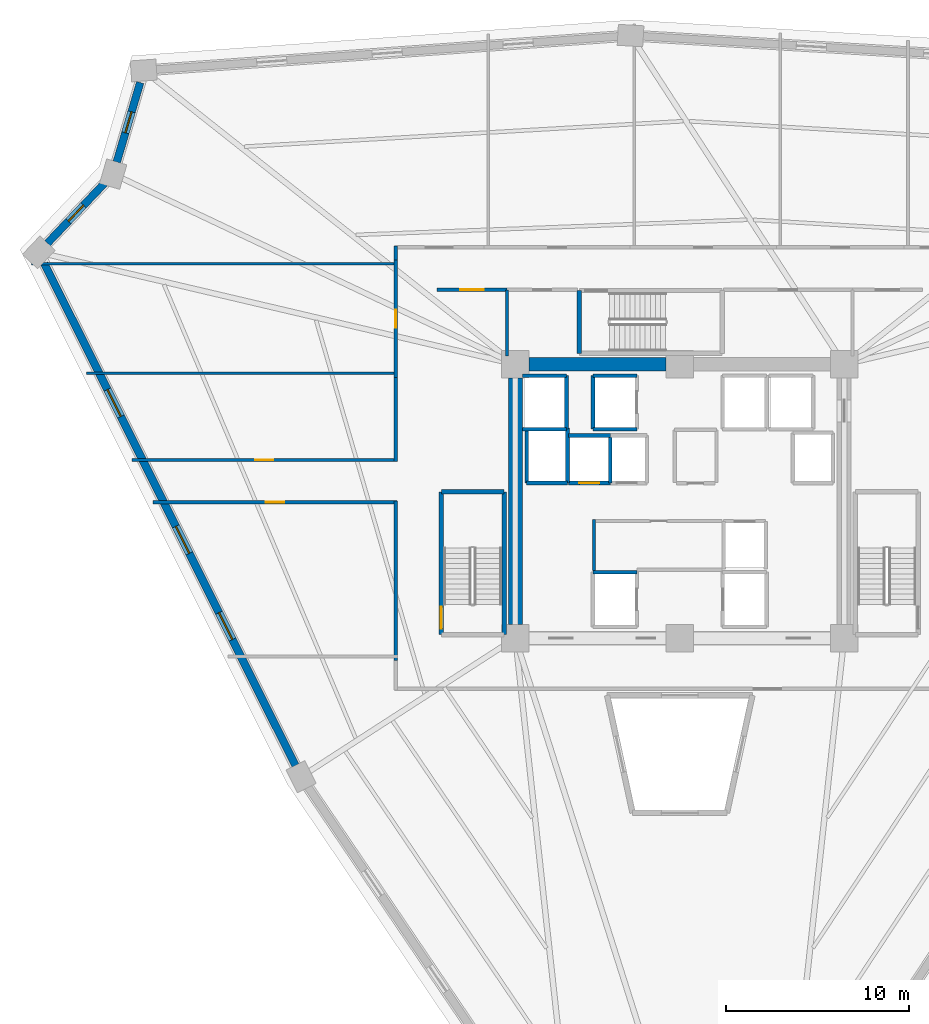
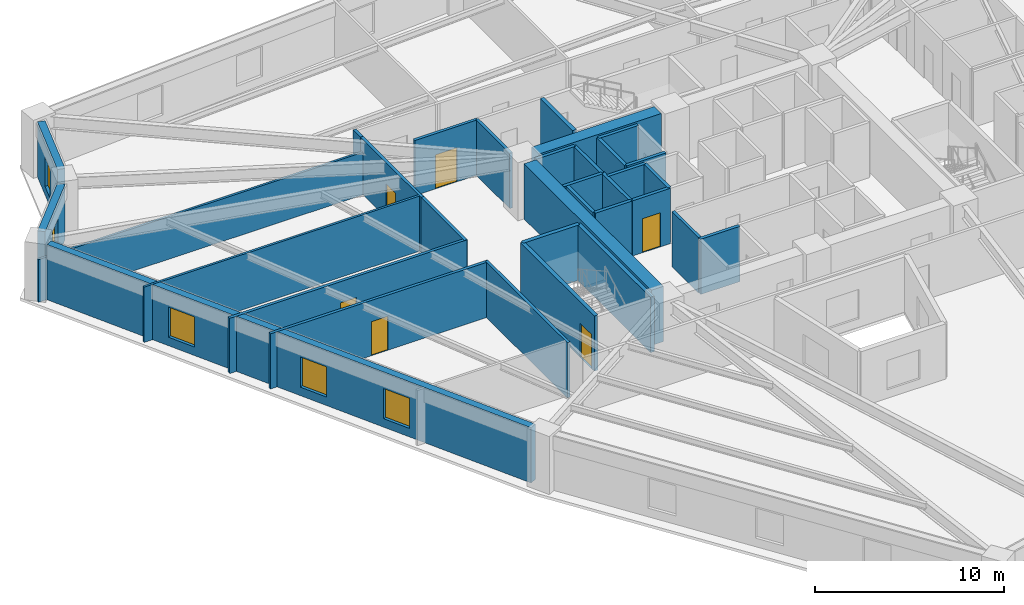
# One storey, part 4 of 8: 33 walls, 6 doors, 5 windows, 11 openings.
"""IFC4 building model written with IfcOpenShell, lengths in metres."""

from ifc_helpers import new_model, si_unit, direction, frame, frame_2d, origin, place, context, subcontext, project, spatial, rectangle, extrude, source, transform, mapped, material, layer, layer_set, type_object, element, fill, save


model = new_model("IFC4")

# Units and contexts
model_context = context("Model", 3, precision=1e-05, world=origin(), true_north=direction((0.0, 1.0)))
body_context = subcontext(model_context, "Body", "Model", "MODEL_VIEW")
ifc_project = project(units=[si_unit("LENGTHUNIT", "METRE"), si_unit("AREAUNIT", "SQUARE_METRE"), si_unit("VOLUMEUNIT", "CUBIC_METRE"), si_unit("PLANEANGLEUNIT", "RADIAN"), si_unit("MASSUNIT", "GRAM", prefix="KILO")], contexts=[model_context])

# Site, building, storey
site_placement = place(None, origin())
site = spatial("IfcSite", under=ifc_project, at=site_placement, CompositionType="ELEMENT")
building_placement = place(site_placement, origin())
building = spatial("IfcBuilding", under=site, at=building_placement, Name="Liaohun Quay Tower", CompositionType="ELEMENT")
storey_placement = place(building_placement, frame((0.0, 0.0, 159.0)))
storey = spatial("IfcBuildingStorey", under=building, at=storey_placement, Name="L41", CompositionType="ELEMENT", Elevation=159.0)

# Walls
ifc_material_1 = material(Name="Concrete C60", Category="concrete")
ifc_layer_1 = layer(ifc_material_1, 0.75, Name="Concrete C60", Category="concrete")
ifc_layer_set_1 = layer_set([ifc_layer_1], Name="Concrete C60")
wall_type_1 = type_object("IfcWallType", Name="WAL-COR-Z2", PredefinedType="SHEAR", material=ifc_layer_set_1)
wall_1_placement = place(storey_placement, frame((51.75, 61.5, 0.0), z_axis=(0.0, 0.0, 1.0), x_axis=(1.0, 0.0, 0.0)))
element("IfcWall", 1, at=wall_1_placement, inside=storey, type_object=wall_type_1, Name="L41 Central Core Shear Wall N-W", PredefinedType="SHEAR", context=body_context, shape_type="SweptSolid", body=[
    extrude(rectangle(XDim=7.5, YDim=0.75, at=frame_2d((3.75, 0.0))), origin(), (0.0, 0.0, 1.0), 3.570068359375),
])
wall_2_placement = place(storey_placement, frame((51.0, 47.25, 0.0), z_axis=(0.0, 0.0, 1.0), x_axis=(0.0, 1.0, 0.0)))
element("IfcWall", 2, at=wall_2_placement, inside=storey, type_object=wall_type_1, Name="L41 Central Core Shear Wall W", PredefinedType="SHEAR", context=body_context, shape_type="SweptSolid", body=[
    extrude(rectangle(XDim=13.5, YDim=0.75, at=frame_2d((6.75, 0.0))), origin(), (0.0, 0.0, 1.0), 3.570068359375),
])

# Wall, opening, window
ifc_material_2 = material(Name="Precast concrete C50 insulated sandwich", Category="concrete")
ifc_layer_2 = layer(ifc_material_2, 0.419921875, Name="Precast concrete C50 insulated sandwich", Category="concrete")
ifc_layer_set_2 = layer_set([ifc_layer_2], Name="Precast concrete C50 insulated sandwich")
wall_type_2 = type_object("IfcWallType", Name="WAL-EXT-Z12", PredefinedType="SOLIDWALL", material=ifc_layer_set_2)
wall_3_placement = place(storey_placement, frame((30.449951171875, 76.929931640625, 0.0), z_axis=(0.0, 0.0, 1.0), x_axis=(-0.282903082649, -0.959148500404, 0.0)))
wall_3 = element("IfcWall", 3, at=wall_3_placement, inside=storey, type_object=wall_type_2, Name="L41 Brutalist Precast Pier Wall 08", PredefinedType="SOLIDWALL", context=body_context, shape_type="SweptSolid", body=[
    extrude(rectangle(XDim=4.538330078125, YDim=0.419921875, at=frame_2d((2.26904296875, 0.0))), origin(), (0.0, 0.0, 1.0), 3.570068359375),
])
shared_shape_1 = source(origin(), body_context, "Body", "SweptSolid", [
    extrude(rectangle(XDim=1.199951171875, YDim=1.89990234375, at=frame_2d((0.60009765625, 0.949951171875))), frame((0.0, 0.219970703125, 0.0), z_axis=(0.0, -1.0, 0.0), x_axis=(1.0, 0.0, 0.0)), (0.0, 0.0, 1.0), 0.43994140625),
])
opening_1_placement = place(wall_3_placement, frame((1.6689453125, 0.0, 0.550048828125)))
opening_1 = element("IfcOpeningElement", 4, at=opening_1_placement, cuts=wall_3, Name="Opening W05", PredefinedType="OPENING", context=body_context, shape_type="MappedRepresentation", body=[
    mapped(shared_shape_1, transform((0.0, 0.0, 0.0), x_axis=(1.0, 0.0, 0.0), y_axis=(0.0, 1.0, 0.0), z_axis=(0.0, 0.0, 1.0), scale=1.0)),
])
ifc_material_3 = material(Name="Triple Low-E corner notch glazing", Category="glass")
window_type_1 = type_object("IfcWindowType", Name="WIN-NOTCH", PartitioningType="SINGLE_PANEL", PredefinedType="WINDOW", material=ifc_material_3)
shared_shape_2 = source(origin(), body_context, "Body", "SweptSolid", [
    extrude(rectangle(XDim=1.199951171875, YDim=1.89990234375, at=frame_2d((0.60009765625, 0.949951171875))), frame((0.0, 0.030029296875, 0.0), z_axis=(0.0, -1.0, 0.0), x_axis=(1.0, 0.0, 0.0)), (0.0, 0.0, 1.0), 0.06005859375),
])
window_1_placement = place(opening_1_placement, origin())
window_1 = element("IfcWindow", 5, at=window_1_placement, inside=storey, type_object=window_type_1, Name="L41 Corner Notch Window W05-08", OverallHeight=1.89990234375, OverallWidth=1.199951171875, PartitioningType="SINGLE_PANEL", PredefinedType="WINDOW", context=body_context, shape_type="MappedRepresentation", body=[
    mapped(shared_shape_2, transform((0.0, 0.0, 0.0), x_axis=(1.0, 0.0, 0.0), y_axis=(0.0, 1.0, 0.0), z_axis=(0.0, 0.0, 1.0), scale=1.0)),
])
fill(opening_1, window_1)

wall_4_placement = place(storey_placement, frame((28.4951171875, 71.4150390625, 0.0), z_axis=(0.0, 0.0, 1.0), x_axis=(-0.68924618139, -0.724527226155, 0.0)))
wall_4 = element("IfcWall", 6, at=wall_4_placement, inside=storey, type_object=wall_type_2, Name="L41 Brutalist Precast Pier Wall 09", PredefinedType="SOLIDWALL", context=body_context, shape_type="SweptSolid", body=[
    extrude(rectangle(XDim=4.532470703125, YDim=0.419921875, at=frame_2d((2.26611328125, 0.0))), origin(), (0.0, 0.0, 1.0), 3.570068359375),
])
opening_2_placement = place(wall_4_placement, frame((1.666015625, 0.0, 0.550048828125)))
opening_2 = element("IfcOpeningElement", 7, at=opening_2_placement, cuts=wall_4, Name="Opening W05", PredefinedType="OPENING", context=body_context, shape_type="MappedRepresentation", body=[
    mapped(shared_shape_1, transform((0.0, 0.0, 0.0), x_axis=(1.0, 0.0, 0.0), y_axis=(0.0, 1.0, 0.0), z_axis=(0.0, 0.0, 1.0), scale=1.0)),
])
window_2_placement = place(opening_2_placement, origin())
window_2 = element("IfcWindow", 8, at=window_2_placement, inside=storey, type_object=window_type_1, Name="L41 Corner Notch Window W05-09", OverallHeight=1.89990234375, OverallWidth=1.199951171875, PartitioningType="SINGLE_PANEL", PredefinedType="WINDOW", context=body_context, shape_type="MappedRepresentation", body=[
    mapped(shared_shape_2, transform((0.0, 0.0, 0.0), x_axis=(1.0, 0.0, 0.0), y_axis=(0.0, 1.0, 0.0), z_axis=(0.0, 0.0, 1.0), scale=1.0)),
])
fill(opening_2, window_2)

# Wall, openings, windows
wall_5_placement = place(storey_placement, frame((25.2041015625, 67.013916015625, 0.0), z_axis=(0.0, 0.0, 1.0), x_axis=(0.447340705753, -0.894363624583, 0.0)))
wall_5 = element("IfcWall", 9, at=wall_5_placement, inside=storey, type_object=wall_type_2, Name="L41 Brutalist Precast Pier Wall 10", PredefinedType="SOLIDWALL", context=body_context, shape_type="SweptSolid", body=[
    extrude(rectangle(XDim=30.730224609375, YDim=0.419921875, at=frame_2d((15.365234375, 0.0))), origin(), (0.0, 0.0, 1.0), 3.570068359375),
])
shared_shape_3 = source(origin(), body_context, "Body", "SweptSolid", [
    extrude(rectangle(XDim=1.64990234375, YDim=1.949951171875, at=frame_2d((0.824951171875, 0.97509765625))), frame((0.0, 0.219970703125, 0.0), z_axis=(0.0, -1.0, 0.0), x_axis=(1.0, 0.0, 0.0)), (0.0, 0.0, 1.0), 0.43994140625),
])
opening_3_placement = place(wall_5_placement, frame((7.7080078125, 0.0, 0.550048828125)))
opening_3 = element("IfcOpeningElement", 10, at=opening_3_placement, cuts=wall_5, Name="Opening W02", PredefinedType="OPENING", context=body_context, shape_type="MappedRepresentation", body=[
    mapped(shared_shape_3, transform((0.0, 0.0, 0.0), x_axis=(1.0, 0.0, 0.0), y_axis=(0.0, 1.0, 0.0), z_axis=(0.0, 0.0, 1.0), scale=1.0)),
])
opening_4_placement = place(wall_5_placement, frame((16.090087890625, 0.0, 0.550048828125)))
opening_4 = element("IfcOpeningElement", 11, at=opening_4_placement, cuts=wall_5, Name="Opening W02", PredefinedType="OPENING", context=body_context, shape_type="MappedRepresentation", body=[
    mapped(shared_shape_3, transform((0.0, 0.0, 0.0), x_axis=(1.0, 0.0, 0.0), y_axis=(0.0, 1.0, 0.0), z_axis=(0.0, 0.0, 1.0), scale=1.0)),
])
opening_5_placement = place(wall_5_placement, frame((21.373046875, 0.0, 0.550048828125)))
opening_5 = element("IfcOpeningElement", 12, at=opening_5_placement, cuts=wall_5, Name="Opening W02", PredefinedType="OPENING", context=body_context, shape_type="MappedRepresentation", body=[
    mapped(shared_shape_3, transform((0.0, 0.0, 0.0), x_axis=(1.0, 0.0, 0.0), y_axis=(0.0, 1.0, 0.0), z_axis=(0.0, 0.0, 1.0), scale=1.0)),
])
ifc_material_4 = material(Name="Triple Low-E argon glazing in thermally broken aluminium", Category="aluminium")
window_type_2 = type_object("IfcWindowType", Name="WIN-PUN-Z2", PartitioningType="DOUBLE_PANEL_VERTICAL", PredefinedType="WINDOW", material=ifc_material_4)
shared_shape_4 = source(origin(), body_context, "Body", "SweptSolid", [
    extrude(rectangle(XDim=1.64990234375, YDim=1.949951171875, at=frame_2d((0.824951171875, 0.97509765625))), frame((0.0, 0.030029296875, 0.0), z_axis=(0.0, -1.0, 0.0), x_axis=(1.0, 0.0, 0.0)), (0.0, 0.0, 1.0), 0.06005859375),
])
window_3_placement = place(opening_3_placement, origin())
window_3 = element("IfcWindow", 13, at=window_3_placement, inside=storey, type_object=window_type_2, Name="L41 Recessed Cold-Climate Punched Window 10-1", OverallHeight=1.949951171875, OverallWidth=1.64990234375, PartitioningType="DOUBLE_PANEL_VERTICAL", PredefinedType="WINDOW", context=body_context, shape_type="MappedRepresentation", body=[
    mapped(shared_shape_4, transform((0.0, 0.0, 0.0), x_axis=(1.0, 0.0, 0.0), y_axis=(0.0, 1.0, 0.0), z_axis=(0.0, 0.0, 1.0), scale=1.0)),
])
fill(opening_3, window_3)
window_4_placement = place(opening_4_placement, origin())
window_4 = element("IfcWindow", 14, at=window_4_placement, inside=storey, type_object=window_type_2, Name="L41 Recessed Cold-Climate Punched Window 10-2", OverallHeight=1.949951171875, OverallWidth=1.64990234375, PartitioningType="DOUBLE_PANEL_VERTICAL", PredefinedType="WINDOW", context=body_context, shape_type="MappedRepresentation", body=[
    mapped(shared_shape_4, transform((0.0, 0.0, 0.0), x_axis=(1.0, 0.0, 0.0), y_axis=(0.0, 1.0, 0.0), z_axis=(0.0, 0.0, 1.0), scale=1.0)),
])
fill(opening_4, window_4)
window_5_placement = place(opening_5_placement, origin())
window_5 = element("IfcWindow", 15, at=window_5_placement, inside=storey, type_object=window_type_2, Name="L41 Recessed Cold-Climate Punched Window 10-3", OverallHeight=1.949951171875, OverallWidth=1.64990234375, PartitioningType="DOUBLE_PANEL_VERTICAL", PredefinedType="WINDOW", context=body_context, shape_type="MappedRepresentation", body=[
    mapped(shared_shape_4, transform((0.0, 0.0, 0.0), x_axis=(1.0, 0.0, 0.0), y_axis=(0.0, 1.0, 0.0), z_axis=(0.0, 0.0, 1.0), scale=1.0)),
])
fill(opening_5, window_5)

# Wall, opening, door
ifc_material_5 = material(Name="Autoclaved aerated concrete blockwork", Category="masonry")
ifc_layer_3 = layer(ifc_material_5, 0.179931640625, Name="Autoclaved aerated concrete blockwork", Category="masonry")
ifc_layer_set_3 = layer_set([ifc_layer_3], Name="Autoclaved aerated concrete blockwork")
wall_type_3 = type_object("IfcWallType", Name="WAL-PRT-COR", PredefinedType="PARTITIONING", material=ifc_layer_set_3)
wall_6_placement = place(storey_placement, frame((46.699951171875, 65.580078125, 0.0), z_axis=(0.0, 0.0, 1.0), x_axis=(1.0, 0.0, 0.0)))
wall_6 = element("IfcWall", 16, at=wall_6_placement, inside=storey, type_object=wall_type_3, Name="L41 Interior Partition Wall 008", PredefinedType="PARTITIONING", context=body_context, shape_type="SweptSolid", body=[
    extrude(rectangle(XDim=3.840087890625, YDim=0.179931640625, at=frame_2d((1.919921875, 0.0))), origin(), (0.0, 0.0, 1.0), 3.570068359375),
])
shared_shape_5 = source(origin(), body_context, "Body", "SweptSolid", [
    extrude(rectangle(XDim=1.300048828125, YDim=2.199951171875, at=frame_2d((0.64990234375, 1.10009765625))), frame((0.0, 0.099853515625, 0.0), z_axis=(0.0, -1.0, 0.0), x_axis=(1.0, 0.0, 0.0)), (0.0, 0.0, 1.0), 0.199951171875),
])
opening_6_placement = place(wall_6_placement, frame((1.27001953125, 0.0, 0.0)))
opening_6 = element("IfcOpeningElement", 17, at=opening_6_placement, cuts=wall_6, Name="Opening FD1", PredefinedType="OPENING", context=body_context, shape_type="MappedRepresentation", body=[
    mapped(shared_shape_5, transform((0.0, 0.0, 0.0), x_axis=(1.0, 0.0, 0.0), y_axis=(0.0, 1.0, 0.0), z_axis=(0.0, 0.0, 1.0), scale=1.0)),
])
ifc_material_6 = material(Name="Galvanised steel smokeproof fire door", Category="steel")
door_type_1 = type_object("IfcDoorType", Name="DOR-FFL-1300", OperationType="NOTDEFINED", PredefinedType="DOOR", material=ifc_material_6)
shared_shape_6 = source(origin(), body_context, "Body", "SweptSolid", [
    extrude(rectangle(XDim=1.300048828125, YDim=2.199951171875, at=frame_2d((0.64990234375, 1.10009765625))), frame((0.0, 0.02490234375, 0.0), z_axis=(0.0, -1.0, 0.0), x_axis=(1.0, 0.0, 0.0)), (0.0, 0.0, 1.0), 0.050048828125),
])
door_1_placement = place(opening_6_placement, origin())
door_1 = element("IfcDoor", 18, at=door_1_placement, inside=storey, type_object=door_type_1, Name="L41 West Core Vestibule Door", OperationType="SINGLE_SWING_LEFT", OverallHeight=2.199951171875, OverallWidth=1.300048828125, PredefinedType="DOOR", context=body_context, shape_type="MappedRepresentation", body=[
    mapped(shared_shape_6, transform((0.0, 0.0, 0.0), x_axis=(1.0, 0.0, 0.0), y_axis=(0.0, 1.0, 0.0), z_axis=(0.0, 0.0, 1.0), scale=1.0)),
])
fill(opening_6, door_1)

wall_7_placement = place(storey_placement, frame((44.43994140625, 60.784912109375, 0.0), z_axis=(0.0, 0.0, 1.0), x_axis=(0.0, 1.0, 0.0)))
wall_7 = element("IfcWall", 19, at=wall_7_placement, inside=storey, type_object=wall_type_3, Name="L41 Interior Partition Wall 016", PredefinedType="PARTITIONING", context=body_context, shape_type="SweptSolid", body=[
    extrude(rectangle(XDim=6.43017578125, YDim=0.179931640625, at=frame_2d((3.215087890625, 0.0))), origin(), (0.0, 0.0, 1.0), 3.570068359375),
])
shared_shape_7 = source(origin(), body_context, "Body", "SweptSolid", [
    extrude(rectangle(XDim=1.0, YDim=2.199951171875, at=frame_2d((0.5, 1.10009765625))), frame((0.0, 0.099853515625, 0.0), z_axis=(0.0, -1.0, 0.0), x_axis=(1.0, 0.0, 0.0)), (0.0, 0.0, 1.0), 0.199951171875),
])
opening_7_placement = place(wall_7_placement, frame((2.715087890625, 0.0, 0.0)))
opening_7 = element("IfcOpeningElement", 20, at=opening_7_placement, cuts=wall_7, Name="Opening OD1", PredefinedType="OPENING", context=body_context, shape_type="MappedRepresentation", body=[
    mapped(shared_shape_7, transform((0.0, 0.0, 0.0), x_axis=(1.0, 0.0, 0.0), y_axis=(0.0, 1.0, 0.0), z_axis=(0.0, 0.0, 1.0), scale=1.0)),
])
ifc_material_7 = material(Name="Solid-core oak veneer timber leaf in steel frame", Category="steel")
door_type_2 = type_object("IfcDoorType", Name="DOR-OFF-1000", OperationType="NOTDEFINED", PredefinedType="DOOR", material=ifc_material_7)
shared_shape_8 = source(origin(), body_context, "Body", "SweptSolid", [
    extrude(rectangle(XDim=1.0, YDim=2.199951171875, at=frame_2d((0.5, 1.10009765625))), frame((0.0, 0.02490234375, 0.0), z_axis=(0.0, -1.0, 0.0), x_axis=(1.0, 0.0, 0.0)), (0.0, 0.0, 1.0), 0.050048828125),
])
door_2_placement = place(opening_7_placement, origin())
door_2 = element("IfcDoor", 21, at=door_2_placement, inside=storey, type_object=door_type_2, Name="L41 Technical Reference Library 07 Door", OperationType="SINGLE_SWING_LEFT", OverallHeight=2.199951171875, OverallWidth=1.0, PredefinedType="DOOR", context=body_context, shape_type="MappedRepresentation", body=[
    mapped(shared_shape_8, transform((0.0, 0.0, 0.0), x_axis=(1.0, 0.0, 0.0), y_axis=(0.0, 1.0, 0.0), z_axis=(0.0, 0.0, 1.0), scale=1.0)),
])
fill(opening_7, door_2)

wall_8_placement = place(storey_placement, frame((29.988037109375, 56.260009765625, 0.0), z_axis=(0.0, 0.0, 1.0), x_axis=(1.0, 0.0, 0.0)))
wall_8 = element("IfcWall", 22, at=wall_8_placement, inside=storey, type_object=wall_type_3, Name="L41 Interior Partition Wall 017", PredefinedType="PARTITIONING", context=body_context, shape_type="SweptSolid", body=[
    extrude(rectangle(XDim=14.52197265625, YDim=0.179931640625, at=frame_2d((7.260986328125, 0.0))), origin(), (0.0, 0.0, 1.0), 3.570068359375),
])
opening_8_placement = place(wall_8_placement, frame((6.760986328125, 0.0, 0.0)))
opening_8 = element("IfcOpeningElement", 23, at=opening_8_placement, cuts=wall_8, Name="Opening OD1", PredefinedType="OPENING", context=body_context, shape_type="MappedRepresentation", body=[
    mapped(shared_shape_7, transform((0.0, 0.0, 0.0), x_axis=(1.0, 0.0, 0.0), y_axis=(0.0, 1.0, 0.0), z_axis=(0.0, 0.0, 1.0), scale=1.0)),
])
door_3_placement = place(opening_8_placement, origin())
door_3 = element("IfcDoor", 24, at=door_3_placement, inside=storey, type_object=door_type_2, Name="L41 Client Collaboration Lounge 08 Door", OperationType="SINGLE_SWING_RIGHT", OverallHeight=2.199951171875, OverallWidth=1.0, PredefinedType="DOOR", context=body_context, shape_type="MappedRepresentation", body=[
    mapped(shared_shape_8, transform((0.0, 0.0, 0.0), x_axis=(1.0, 0.0, 0.0), y_axis=(0.0, 1.0, 0.0), z_axis=(0.0, 0.0, 1.0), scale=1.0)),
])
fill(opening_8, door_3)

wall_9_placement = place(storey_placement, frame((44.510009765625, 53.93994140625, 0.0), z_axis=(0.0, 0.0, 1.0), x_axis=(-1.0, 0.0, 0.0)))
wall_9 = element("IfcWall", 25, at=wall_9_placement, inside=storey, type_object=wall_type_3, Name="L41 Interior Partition Wall 018", PredefinedType="PARTITIONING", context=body_context, shape_type="SweptSolid", body=[
    extrude(rectangle(XDim=13.362060546875, YDim=0.179931640625, at=frame_2d((6.68115234375, 0.0))), origin(), (0.0, 0.0, 1.0), 3.570068359375),
])
opening_9_placement = place(wall_9_placement, frame((6.180908203125, 0.0, 0.0)))
opening_9 = element("IfcOpeningElement", 26, at=opening_9_placement, cuts=wall_9, Name="Opening OD1", PredefinedType="OPENING", context=body_context, shape_type="MappedRepresentation", body=[
    mapped(shared_shape_7, transform((0.0, 0.0, 0.0), x_axis=(1.0, 0.0, 0.0), y_axis=(0.0, 1.0, 0.0), z_axis=(0.0, 0.0, 1.0), scale=1.0)),
])
door_4_placement = place(opening_9_placement, origin())
door_4 = element("IfcDoor", 27, at=door_4_placement, inside=storey, type_object=door_type_2, Name="L41 Records Archive Store 09 Door", OperationType="SINGLE_SWING_LEFT", OverallHeight=2.199951171875, OverallWidth=1.0, PredefinedType="DOOR", context=body_context, shape_type="MappedRepresentation", body=[
    mapped(shared_shape_8, transform((0.0, 0.0, 0.0), x_axis=(1.0, 0.0, 0.0), y_axis=(0.0, 1.0, 0.0), z_axis=(0.0, 0.0, 1.0), scale=1.0)),
])
fill(opening_9, door_4)

# Walls
wall_10_placement = place(storey_placement, frame((50.5400390625, 61.949951171875, 0.0), z_axis=(0.0, 0.0, 1.0), x_axis=(0.0, 1.0, 0.0)))
element("IfcWall", 28, at=wall_10_placement, inside=storey, type_object=wall_type_3, Name="L41 Interior Partition Wall 030", PredefinedType="PARTITIONING", context=body_context, shape_type="SweptSolid", body=[
    extrude(rectangle(XDim=3.630126953125, YDim=0.179931640625, at=frame_2d((1.81494140625, 0.0))), origin(), (0.0, 0.0, 1.0), 3.570068359375),
])
wall_11_placement = place(storey_placement, frame((44.43994140625, 67.215087890625, 0.0), z_axis=(0.0, 0.0, 1.0), x_axis=(0.0, 1.0, 0.0)))
element("IfcWall", 29, at=wall_11_placement, inside=storey, type_object=wall_type_3, Name="L41 Interior Partition Wall 034", PredefinedType="PARTITIONING", context=body_context, shape_type="SweptSolid", body=[
    extrude(rectangle(XDim=0.764892578125, YDim=0.179931640625, at=frame_2d((0.38232421875, 0.0))), origin(), (0.0, 0.0, 1.0), 3.570068359375),
])
wall_12_placement = place(storey_placement, frame((44.43994140625, 56.18994140625, 0.0), z_axis=(0.0, 0.0, 1.0), x_axis=(0.0, 1.0, 0.0)))
element("IfcWall", 30, at=wall_12_placement, inside=storey, type_object=wall_type_3, Name="L41 Interior Partition Wall 035", PredefinedType="PARTITIONING", context=body_context, shape_type="SweptSolid", body=[
    extrude(rectangle(XDim=4.594970703125, YDim=0.179931640625, at=frame_2d((2.29736328125, 0.0))), origin(), (0.0, 0.0, 1.0), 3.570068359375),
])
wall_13_placement = place(storey_placement, frame((44.43994140625, 45.284912109375, 0.0), z_axis=(0.0, 0.0, 1.0), x_axis=(0.0, 1.0, 0.0)))
element("IfcWall", 31, at=wall_13_placement, inside=storey, type_object=wall_type_3, Name="L41 Interior Partition Wall 036", PredefinedType="PARTITIONING", context=body_context, shape_type="SweptSolid", body=[
    extrude(rectangle(XDim=8.72509765625, YDim=0.179931640625, at=frame_2d((4.362548828125, 0.0))), origin(), (0.0, 0.0, 1.0), 3.570068359375),
])
wall_14_placement = place(storey_placement, frame((55.300048828125, 50.219970703125, 0.0), z_axis=(0.0, 0.0, 1.0), x_axis=(0.0, 1.0, 0.0)))
element("IfcWall", 32, at=wall_14_placement, inside=storey, type_object=wall_type_3, Name="L41 Interior Partition Wall 050", PredefinedType="PARTITIONING", context=body_context, shape_type="SweptSolid", body=[
    extrude(rectangle(XDim=2.7900390625, YDim=0.179931640625, at=frame_2d((1.39501953125, 0.0))), origin(), (0.0, 0.0, 1.0), 3.570068359375),
])
ifc_material_8 = material(Name="Gypsum board on twin steel studs", Category="steel")
ifc_layer_4 = layer(ifc_material_8, 0.139892578125, Name="Gypsum board on twin steel studs", Category="steel")
ifc_layer_set_4 = layer_set([ifc_layer_4], Name="Gypsum board on twin steel studs")
wall_type_4 = type_object("IfcWallType", Name="WAL-PRT-OFF", PredefinedType="PARTITIONING", material=ifc_layer_set_4)
wall_15_placement = place(storey_placement, frame((44.5400390625, 61.0, 0.0), z_axis=(0.0, 0.0, 1.0), x_axis=(-1.0, 0.0, 0.0)))
element("IfcWall", 33, at=wall_15_placement, inside=storey, type_object=wall_type_4, Name="L41 Interior Partition Wall 041", PredefinedType="PARTITIONING", context=body_context, shape_type="SweptSolid", body=[
    extrude(rectangle(XDim=17.031982421875, YDim=0.139892578125, at=frame_2d((8.51611328125, 0.0))), origin(), (0.0, 0.0, 1.0), 3.570068359375),
])
wall_16_placement = place(storey_placement, frame((44.5400390625, 67.0, 0.0), z_axis=(0.0, 0.0, 1.0), x_axis=(-1.0, 0.0, 0.0)))
element("IfcWall", 34, at=wall_16_placement, inside=storey, type_object=wall_type_4, Name="L41 Interior Partition Wall 042", PredefinedType="PARTITIONING", context=body_context, shape_type="SweptSolid", body=[
    extrude(rectangle(XDim=20.032958984375, YDim=0.139892578125, at=frame_2d((10.0166015625, 0.0))), origin(), (0.0, 0.0, 1.0), 2.7548828125),
])
ifc_material_9 = material(Name="Concrete C50", Category="concrete")
ifc_layer_5 = layer(ifc_material_9, 0.239990234375, Name="Concrete C50", Category="concrete")
ifc_layer_set_5 = layer_set([ifc_layer_5], Name="Concrete C50")
wall_type_5 = type_object("IfcWallType", Name="WAL-SHF-200", PredefinedType="SOLIDWALL", material=ifc_layer_set_5)
wall_17_placement = place(storey_placement, frame((50.3798828125, 46.699951171875, 0.0), z_axis=(0.0, 0.0, 1.0), x_axis=(0.0, 1.0, 0.0)))
element("IfcWall", 35, at=wall_17_placement, inside=storey, type_object=wall_type_5, Name="L41 Stairwell ST-1 Structural Core Wall E", PredefinedType="SOLIDWALL", context=body_context, shape_type="SweptSolid", body=[
    extrude(rectangle(XDim=7.820068359375, YDim=0.239990234375, at=frame_2d((3.91015625, 0.0))), origin(), (0.0, 0.0, 1.0), 3.570068359375),
])
wall_18_placement = place(storey_placement, frame((50.3798828125, 54.52001953125, 0.0), z_axis=(0.0, 0.0, 1.0), x_axis=(-1.0, 0.0, 0.0)))
element("IfcWall", 36, at=wall_18_placement, inside=storey, type_object=wall_type_5, Name="L41 Stairwell ST-1 Structural Core Wall N", PredefinedType="SOLIDWALL", context=body_context, shape_type="SweptSolid", body=[
    extrude(rectangle(XDim=3.43994140625, YDim=0.239990234375, at=frame_2d((1.719970703125, 0.0))), origin(), (0.0, 0.0, 1.0), 3.570068359375),
])

# Wall, opening, door
wall_19_placement = place(storey_placement, frame((46.93994140625, 54.52001953125, 0.0), z_axis=(0.0, 0.0, 1.0), x_axis=(0.0, -1.0, 0.0)))
wall_19 = element("IfcWall", 37, at=wall_19_placement, inside=storey, type_object=wall_type_5, Name="L41 Stairwell ST-1 Structural Core Wall W", PredefinedType="SOLIDWALL", context=body_context, shape_type="SweptSolid", body=[
    extrude(rectangle(XDim=7.820068359375, YDim=0.239990234375, at=frame_2d((3.91015625, 0.0))), origin(), (0.0, 0.0, 1.0), 3.570068359375),
])
shared_shape_9 = source(origin(), body_context, "Body", "SweptSolid", [
    extrude(rectangle(XDim=1.199951171875, YDim=2.199951171875, at=frame_2d((0.60009765625, 1.10009765625))), frame((0.0, 0.1298828125, 0.0), z_axis=(0.0, -1.0, 0.0), x_axis=(1.0, 0.0, 0.0)), (0.0, 0.0, 1.0), 0.260009765625),
])
opening_10_placement = place(wall_19_placement, frame((6.300048828125, 0.0, 0.0)))
opening_10 = element("IfcOpeningElement", 38, at=opening_10_placement, cuts=wall_19, Name="Opening SD1", PredefinedType="OPENING", context=body_context, shape_type="MappedRepresentation", body=[
    mapped(shared_shape_9, transform((0.0, 0.0, 0.0), x_axis=(1.0, 0.0, 0.0), y_axis=(0.0, 1.0, 0.0), z_axis=(0.0, 0.0, 1.0), scale=1.0)),
])
ifc_material_10 = material(Name="Galvanised steel fire door", Category="steel")
door_type_3 = type_object("IfcDoorType", Name="DOR-STR-1200", OperationType="NOTDEFINED", PredefinedType="DOOR", material=ifc_material_10)
shared_shape_10 = source(origin(), body_context, "Body", "SweptSolid", [
    extrude(rectangle(XDim=1.199951171875, YDim=2.199951171875, at=frame_2d((0.60009765625, 1.10009765625))), frame((0.0, 0.02490234375, 0.0), z_axis=(0.0, -1.0, 0.0), x_axis=(1.0, 0.0, 0.0)), (0.0, 0.0, 1.0), 0.050048828125),
])
door_5_placement = place(opening_10_placement, origin())
door_5 = element("IfcDoor", 39, at=door_5_placement, inside=storey, type_object=door_type_3, Name="L41 Protected Stair ST-1 Fire Door", OperationType="SINGLE_SWING_LEFT", OverallHeight=2.199951171875, OverallWidth=1.199951171875, PredefinedType="DOOR", context=body_context, shape_type="MappedRepresentation", body=[
    mapped(shared_shape_10, transform((0.0, 0.0, 0.0), x_axis=(1.0, 0.0, 0.0), y_axis=(0.0, 1.0, 0.0), z_axis=(0.0, 0.0, 1.0), scale=1.0)),
])
fill(opening_10, door_5)

# Walls
wall_20_placement = place(storey_placement, frame((54.5, 65.5400390625, 0.0), z_axis=(0.0, 0.0, 1.0), x_axis=(0.0, -1.0, 0.0)))
element("IfcWall", 40, at=wall_20_placement, inside=storey, type_object=wall_type_5, Name="L41 Stairwell ST-3 Structural Core Wall W", PredefinedType="SOLIDWALL", context=body_context, shape_type="SweptSolid", body=[
    extrude(rectangle(XDim=3.43994140625, YDim=0.239990234375, at=frame_2d((1.719970703125, 0.0))), origin(), (0.0, 0.0, 1.0), 3.570068359375),
])
for number, where, z_axis, x_axis, name in (
    (41, (57.64990234375, 50.1201171875, 0.0), (0.0, 0.0, 1.0), (-1.0, 0.0, 0.0), "L41 Lift FF-01 Hoistway Wall N"),
    (42, (55.25, 57.949951171875, 0.0), (0.0, 0.0, 1.0), (1.0, 0.0, 0.0), "L41 Lift FF-03 Hoistway Wall S"),
    (43, (57.64990234375, 60.8798828125, 0.0), (0.0, 0.0, 1.0), (-1.0, 0.0, 0.0), "L41 Lift FF-03 Hoistway Wall N"),
):
    element("IfcWall", number, at=place(storey_placement, frame(where, z_axis=z_axis, x_axis=x_axis)), inside=storey, type_object=wall_type_5, Name=name, PredefinedType="SOLIDWALL", context=body_context, shape_type="SweptSolid", body=[
        extrude(rectangle(XDim=2.39990234375, YDim=0.199951171875, at=frame_2d((1.199951171875, 0.0))), origin(), (0.0, 0.0, 1.0), 3.570068359375),
    ])
wall_21_placement = place(storey_placement, frame((55.25, 60.8798828125, 0.0), z_axis=(0.0, 0.0, 1.0), x_axis=(0.0, -1.0, 0.0)))
element("IfcWall", 44, at=wall_21_placement, inside=storey, type_object=wall_type_5, Name="L41 Lift FF-03 Hoistway Wall W", PredefinedType="SOLIDWALL", context=body_context, shape_type="SweptSolid", body=[
    extrude(rectangle(XDim=2.929931640625, YDim=0.199951171875, at=frame_2d((1.46484375, 0.0))), origin(), (0.0, 0.0, 1.0), 3.570068359375),
])
wall_22_placement = place(storey_placement, frame((51.39990234375, 57.949951171875, 0.0), z_axis=(0.0, 0.0, 1.0), x_axis=(1.0, 0.0, 0.0)))
element("IfcWall", 45, at=wall_22_placement, inside=storey, type_object=wall_type_5, Name="L41 Lift SH-01 Hoistway Wall S", PredefinedType="SOLIDWALL", context=body_context, shape_type="SweptSolid", body=[
    extrude(rectangle(XDim=2.400146484375, YDim=0.199951171875, at=frame_2d((1.2001953125, 0.0))), origin(), (0.0, 0.0, 1.0), 3.570068359375),
])
wall_23_placement = place(storey_placement, frame((53.800048828125, 57.949951171875, 0.0), z_axis=(0.0, 0.0, 1.0), x_axis=(0.0, 1.0, 0.0)))
element("IfcWall", 46, at=wall_23_placement, inside=storey, type_object=wall_type_5, Name="L41 Lift SH-01 Hoistway Wall E", PredefinedType="SOLIDWALL", context=body_context, shape_type="SweptSolid", body=[
    extrude(rectangle(XDim=2.929931640625, YDim=0.199951171875, at=frame_2d((1.46484375, 0.0))), origin(), (0.0, 0.0, 1.0), 3.570068359375),
])
wall_24_placement = place(storey_placement, frame((53.800048828125, 60.8798828125, 0.0), z_axis=(0.0, 0.0, 1.0), x_axis=(-1.0, 0.0, 0.0)))
element("IfcWall", 47, at=wall_24_placement, inside=storey, type_object=wall_type_5, Name="L41 Lift SH-01 Hoistway Wall N", PredefinedType="SOLIDWALL", context=body_context, shape_type="SweptSolid", body=[
    extrude(rectangle(XDim=2.400146484375, YDim=0.199951171875, at=frame_2d((1.2001953125, 0.0))), origin(), (0.0, 0.0, 1.0), 3.570068359375),
])
wall_25_placement = place(storey_placement, frame((51.6201171875, 55.0, 0.0), z_axis=(0.0, 0.0, 1.0), x_axis=(1.0, 0.0, 0.0)))
element("IfcWall", 48, at=wall_25_placement, inside=storey, type_object=wall_type_5, Name="L41 Lift SH-02 Hoistway Wall S", PredefinedType="SOLIDWALL", context=body_context, shape_type="SweptSolid", body=[
    extrude(rectangle(XDim=2.22998046875, YDim=0.199951171875, at=frame_2d((1.114990234375, 0.0))), origin(), (0.0, 0.0, 1.0), 3.570068359375),
])
for number, where, z_axis, x_axis, name in (
    (49, (53.85009765625, 55.0, 0.0), (0.0, 0.0, 1.0), (0.0, 1.0, 0.0), "L41 Lift SH-02 Hoistway Wall E"),
    (50, (51.6201171875, 58.0, 0.0), (0.0, 0.0, 1.0), (0.0, -1.0, 0.0), "L41 Lift SH-02 Hoistway Wall W"),
):
    element("IfcWall", number, at=place(storey_placement, frame(where, z_axis=z_axis, x_axis=x_axis)), inside=storey, type_object=wall_type_5, Name=name, PredefinedType="SOLIDWALL", context=body_context, shape_type="SweptSolid", body=[
        extrude(rectangle(XDim=3.0, YDim=0.199951171875, at=frame_2d((1.5, 0.0))), origin(), (0.0, 0.0, 1.0), 3.570068359375),
    ])

# Wall, opening, door
wall_26_placement = place(storey_placement, frame((53.89990234375, 55.0, 0.0), z_axis=(0.0, 0.0, 1.0), x_axis=(1.0, 0.0, 0.0)))
wall_26 = element("IfcWall", 51, at=wall_26_placement, inside=storey, type_object=wall_type_5, Name="L41 Lift PL-2B Hoistway Wall S", PredefinedType="SOLIDWALL", context=body_context, shape_type="SweptSolid", body=[
    extrude(rectangle(XDim=2.300048828125, YDim=0.199951171875, at=frame_2d((1.14990234375, 0.0))), origin(), (0.0, 0.0, 1.0), 3.570068359375),
])
shared_shape_11 = source(origin(), body_context, "Body", "SweptSolid", [
    extrude(rectangle(XDim=1.10009765625, YDim=2.199951171875, at=frame_2d((0.550048828125, 1.10009765625))), frame((0.0, 0.10986328125, 0.0), z_axis=(0.0, -1.0, 0.0), x_axis=(1.0, 0.0, 0.0)), (0.0, 0.0, 1.0), 0.219970703125),
])
opening_11_placement = place(wall_26_placement, frame((0.60009765625, 0.0, 0.0)))
opening_11 = element("IfcOpeningElement", 52, at=opening_11_placement, cuts=wall_26, Name="Opening LD1", PredefinedType="OPENING", context=body_context, shape_type="MappedRepresentation", body=[
    mapped(shared_shape_11, transform((0.0, 0.0, 0.0), x_axis=(1.0, 0.0, 0.0), y_axis=(0.0, 1.0, 0.0), z_axis=(0.0, 0.0, 1.0), scale=1.0)),
])
ifc_material_11 = material(Name="Brushed stainless steel landing door", Category="steel")
door_type_4 = type_object("IfcDoorType", Name="DOR-LFT-1100", OperationType="SLIDING_TO_LEFT", PredefinedType="DOOR", material=ifc_material_11)
shared_shape_12 = source(origin(), body_context, "Body", "SweptSolid", [
    extrude(rectangle(XDim=1.10009765625, YDim=2.199951171875, at=frame_2d((0.550048828125, 1.10009765625))), frame((0.0, 0.02490234375, 0.0), z_axis=(0.0, -1.0, 0.0), x_axis=(1.0, 0.0, 0.0)), (0.0, 0.0, 1.0), 0.050048828125),
])
door_6_placement = place(opening_11_placement, origin())
door_6 = element("IfcDoor", 53, at=door_6_placement, inside=storey, type_object=door_type_4, Name="L41 Lift PL-2B Sliding Landing Door", OperationType="SLIDING_TO_LEFT", OverallHeight=2.199951171875, OverallWidth=1.10009765625, PredefinedType="DOOR", context=body_context, shape_type="MappedRepresentation", body=[
    mapped(shared_shape_12, transform((0.0, 0.0, 0.0), x_axis=(1.0, 0.0, 0.0), y_axis=(0.0, 1.0, 0.0), z_axis=(0.0, 0.0, 1.0), scale=1.0)),
])
fill(opening_11, door_6)

# Walls
wall_27_placement = place(storey_placement, frame((56.199951171875, 55.0, 0.0), z_axis=(0.0, 0.0, 1.0), x_axis=(0.0, 1.0, 0.0)))
element("IfcWall", 54, at=wall_27_placement, inside=storey, type_object=wall_type_5, Name="L41 Lift PL-2B Hoistway Wall E", PredefinedType="SOLIDWALL", context=body_context, shape_type="SweptSolid", body=[
    extrude(rectangle(XDim=2.60009765625, YDim=0.199951171875, at=frame_2d((1.300048828125, 0.0))), origin(), (0.0, 0.0, 1.0), 3.570068359375),
])
wall_28_placement = place(storey_placement, frame((56.199951171875, 57.60009765625, 0.0), z_axis=(0.0, 0.0, 1.0), x_axis=(-1.0, 0.0, 0.0)))
element("IfcWall", 55, at=wall_28_placement, inside=storey, type_object=wall_type_5, Name="L41 Lift PL-2B Hoistway Wall N", PredefinedType="SOLIDWALL", context=body_context, shape_type="SweptSolid", body=[
    extrude(rectangle(XDim=2.300048828125, YDim=0.199951171875, at=frame_2d((1.14990234375, 0.0))), origin(), (0.0, 0.0, 1.0), 3.570068359375),
])

save(model, "model.ifc")
